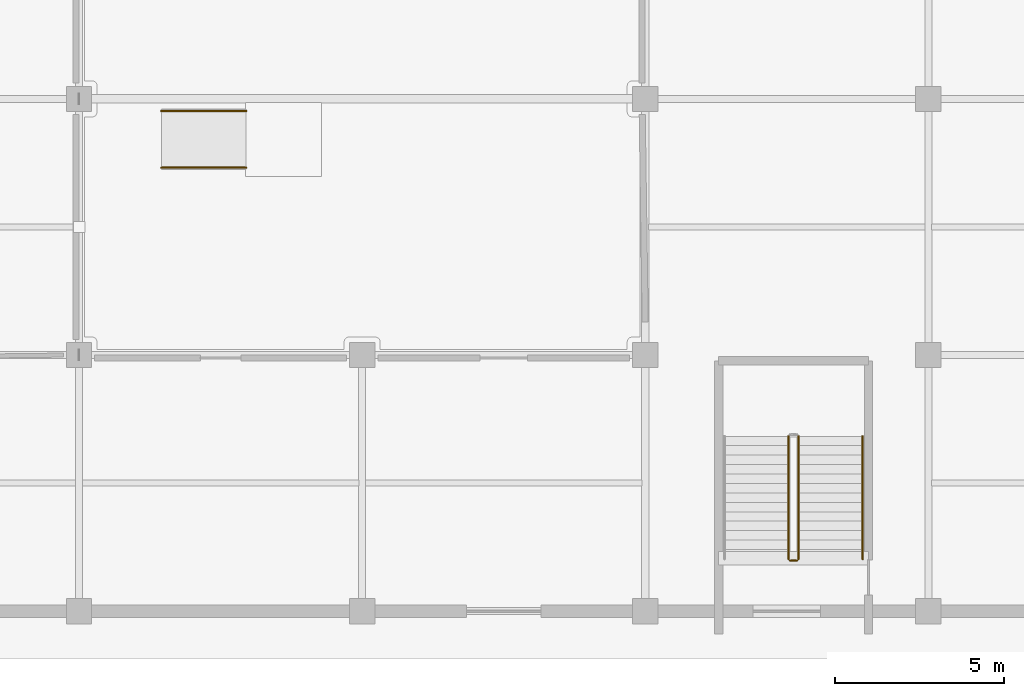
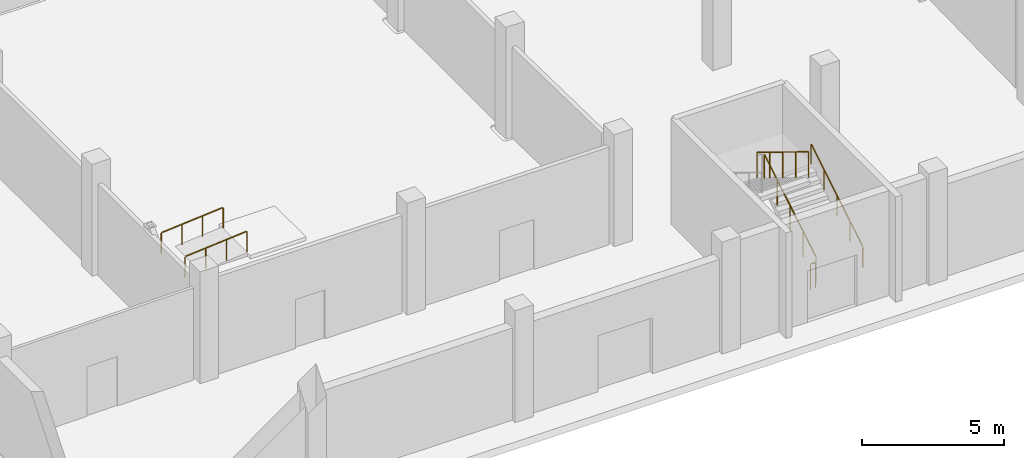
# One storey, part 34 of 36: 6 railings.
"""IFC4 building model written with IfcOpenShell, lengths in metres."""

from ifc_helpers import new_model, si_unit, direction, frame, origin, origin_2d, place, context, subcontext, project, spatial, circle, extrude, material, type_object, element, save


model = new_model("IFC4")

# Units and contexts
model_context = context("Model", 3, precision=1e-05, world=origin(), true_north=direction((0.0, 1.0)))
body_context = subcontext(model_context, "Body", "Model", "MODEL_VIEW")
ifc_project = project(units=[si_unit("LENGTHUNIT", "METRE"), si_unit("AREAUNIT", "SQUARE_METRE"), si_unit("VOLUMEUNIT", "CUBIC_METRE"), si_unit("PLANEANGLEUNIT", "RADIAN"), si_unit("MASSUNIT", "GRAM", prefix="KILO")], contexts=[model_context])

# Site, building, storey
site_placement = place(None, origin())
site = spatial("IfcSite", under=ifc_project, at=site_placement, CompositionType="ELEMENT")
building_placement = place(site_placement, origin())
building = spatial("IfcBuilding", under=site, at=building_placement, Name="Zuvorla Pavilion Media Centre", CompositionType="ELEMENT")
storey_placement = place(building_placement, origin())
storey = spatial("IfcBuildingStorey", under=building, at=storey_placement, Name="L00", CompositionType="ELEMENT", Elevation=0.0)

# Railings
ifc_material_1 = material(Name="Powder-coated steel balustrade guard", Category="steel")
railing_type_1 = type_object("IfcRailingType", Name="RL-INT-GRD", PredefinedType="BALUSTRADE", material=ifc_material_1)
railing_1_placement = place(storey_placement, frame((96.550048828125, 83.550048828125, 0.17138671875)))
element("IfcRailing", 1, at=railing_1_placement, inside=storey, type_object=railing_type_1, Name="L00 ST-05 stair guard 1", PredefinedType="BALUSTRADE", context=body_context, shape_type="SweptSolid", body=[
    extrude(circle(Radius=0.02392578125, at=origin_2d()), frame((0.0, 0.024658203125, 1.111083984375), z_axis=(0.0, 0.852850264322, 0.5221555579), x_axis=(-1.0, 0.0, 0.0)), (0.0, 0.0, 1.0), 4.210205078125),
    extrude(circle(Radius=0.02099609375, at=origin_2d()), origin(), (0.0, 0.0, 1.0), 1.070068359375),
    extrude(circle(Radius=0.02099609375, at=origin_2d()), frame((0.0, 0.909912109375, 0.55712890625)), (0.0, 0.0, 1.0), 1.070068359375),
    extrude(circle(Radius=0.02099609375, at=origin_2d()), frame((0.0, 1.81982421875, 1.1142578125)), (0.0, 0.0, 1.0), 1.070068359375),
    extrude(circle(Radius=0.02099609375, at=origin_2d()), frame((0.0, 2.72998046875, 1.67138671875)), (0.0, 0.0, 1.0), 1.070068359375),
    extrude(circle(Radius=0.02099609375, at=origin_2d()), frame((0.0, 3.639892578125, 2.228515625)), (0.0, 0.0, 1.0), 1.070068359375),
])
railing_2_placement = place(storey_placement, frame((96.25, 87.18994140625, 2.571533203125)))
element("IfcRailing", 2, at=railing_2_placement, inside=storey, type_object=railing_type_1, Name="L00 ST-05 stair guard 3", PredefinedType="BALUSTRADE", context=body_context, shape_type="SweptSolid", body=[
    extrude(circle(Radius=0.02392578125, at=origin_2d()), frame((0.0, -0.024658203125, 1.111083984375), z_axis=(0.0, -0.852850264322, 0.5221555579), x_axis=(1.0, 0.0, 0.0)), (0.0, 0.0, 1.0), 4.210205078125),
    extrude(circle(Radius=0.02099609375, at=origin_2d()), origin(), (0.0, 0.0, 1.0), 1.070068359375),
    extrude(circle(Radius=0.02099609375, at=origin_2d()), frame((0.0, -0.909912109375, 0.55712890625)), (0.0, 0.0, 1.0), 1.070068359375),
    extrude(circle(Radius=0.02099609375, at=origin_2d()), frame((0.0, -1.81982421875, 1.1142578125)), (0.0, 0.0, 1.0), 1.070068359375),
    extrude(circle(Radius=0.02099609375, at=origin_2d()), frame((0.0, -2.72998046875, 1.67138671875)), (0.0, 0.0, 1.0), 1.070068359375),
    extrude(circle(Radius=0.02099609375, at=origin_2d()), frame((0.0, -3.639892578125, 2.228515625)), (0.0, 0.0, 1.0), 1.070068359375),
])
railing_3_placement = place(storey_placement, frame((96.5, 83.5, 0.0)))
element("IfcRailing", 3, at=railing_3_placement, inside=storey, type_object=railing_type_1, Name="L00 ST-05 stair guard 4", PredefinedType="BALUSTRADE", context=body_context, shape_type="SweptSolid", body=[
    extrude(circle(Radius=0.02392578125, at=origin_2d()), frame((-0.02880859375, 0.0, 1.09619140625), z_axis=(-1.0, 0.0, 0.0), x_axis=(0.0, -1.0, 0.0)), (0.0, 0.0, 1.0), 0.142333984375),
    extrude(circle(Radius=0.02099609375, at=origin_2d()), origin(), (0.0, 0.0, 1.0), 1.070068359375),
    extrude(circle(Radius=0.02099609375, at=origin_2d()), frame((-0.199951171875, 0.0, 0.0)), (0.0, 0.0, 1.0), 1.070068359375),
])
ifc_material_2 = material(Name="Brushed stainless steel tubular handrail", Category="steel")
railing_type_2 = type_object("IfcRailingType", Name="RL-INT-HND", PredefinedType="HANDRAIL", material=ifc_material_2)
railing_4_placement = place(storey_placement, frame((98.449951171875, 83.550048828125, 0.17138671875)))
element("IfcRailing", 4, at=railing_4_placement, inside=storey, type_object=railing_type_2, Name="L00 ST-05 handrail 1", PredefinedType="HANDRAIL", context=body_context, shape_type="SweptSolid", body=[
    extrude(circle(Radius=0.02392578125, at=origin_2d()), frame((0.0, 0.024658203125, 0.890869140625), z_axis=(0.0, 0.852850264322, 0.5221555579), x_axis=(-1.0, 0.0, 0.0)), (0.0, 0.0, 1.0), 4.210205078125),
    extrude(circle(Radius=0.02099609375, at=origin_2d()), origin(), (0.0, 0.0, 1.0), 0.849853515625),
    extrude(circle(Radius=0.02099609375, at=origin_2d()), frame((0.0, 0.909912109375, 0.55712890625)), (0.0, 0.0, 1.0), 0.849853515625),
    extrude(circle(Radius=0.02099609375, at=origin_2d()), frame((0.0, 1.81982421875, 1.1142578125)), (0.0, 0.0, 1.0), 0.849853515625),
    extrude(circle(Radius=0.02099609375, at=origin_2d()), frame((0.0, 2.72998046875, 1.67138671875)), (0.0, 0.0, 1.0), 0.849853515625),
    extrude(circle(Radius=0.02099609375, at=origin_2d()), frame((0.0, 3.639892578125, 2.228515625)), (0.0, 0.0, 1.0), 0.849853515625),
])
for number, where, name in (
    (5, (77.639892578125, 95.159912109375, 0.0), "Accessible ramp handrail RMP-ACC-03 S"),
    (6, (77.639892578125, 96.840087890625, 0.0), "Accessible ramp handrail RMP-ACC-03 N"),
):
    element("IfcRailing", number, at=place(storey_placement, frame(where)), inside=storey, type_object=railing_type_2, Name=name, PredefinedType="HANDRAIL", context=body_context, shape_type="SweptSolid", body=[
        extrude(circle(Radius=0.02392578125, at=origin_2d()), frame((0.02880859375, 0.0, 0.878173828125), z_axis=(0.996547089785, 0.0, 0.083029499827), x_axis=(0.0, 1.0, 0.0)), (0.0, 0.0, 1.0), 2.470947265625),
        extrude(circle(Radius=0.02099609375, at=origin_2d()), origin(), (0.0, 0.0, 1.0), 0.849853515625),
        extrude(circle(Radius=0.02099609375, at=origin_2d()), frame((0.840087890625, 0.0, 0.070068359375)), (0.0, 0.0, 1.0), 0.849853515625),
        extrude(circle(Radius=0.02099609375, at=origin_2d()), frame((1.679931640625, 0.0, 0.139892578125)), (0.0, 0.0, 1.0), 0.849853515625),
        extrude(circle(Radius=0.02099609375, at=origin_2d()), frame((2.52001953125, 0.0, 0.2099609375)), (0.0, 0.0, 1.0), 0.849853515625),
    ])

save(model, "model.ifc")
